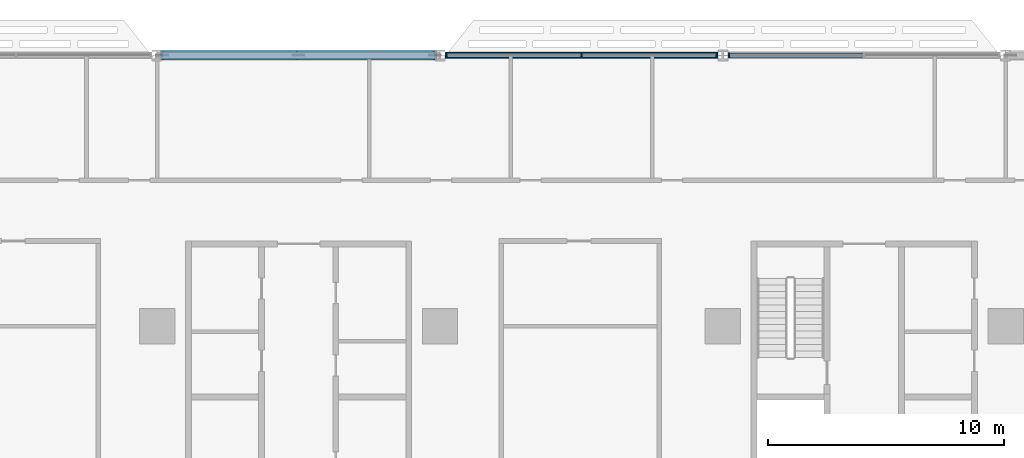
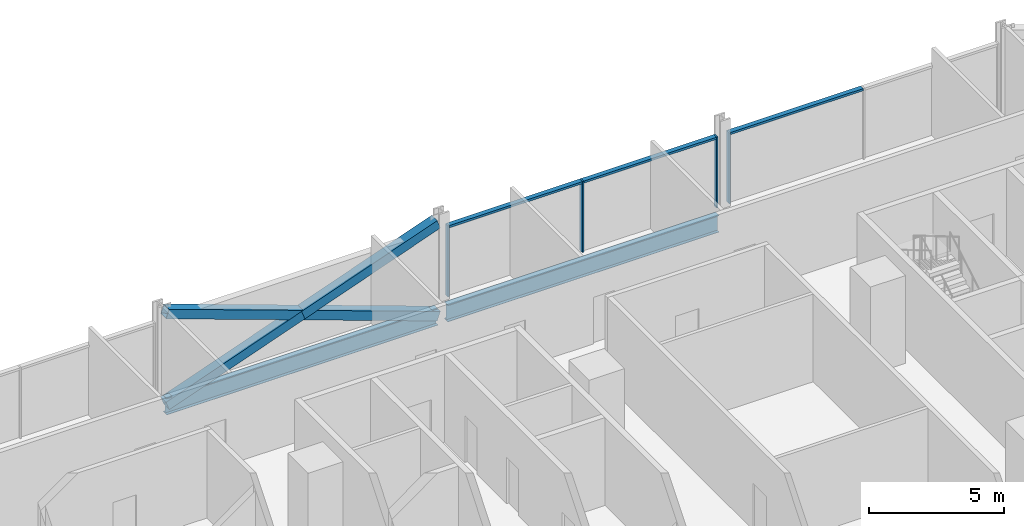
# One storey, part 7 of 29: 10 members, 2 beams, 2 elements without a shape of their own.
"""IFC4 building model written with IfcOpenShell, lengths in metres."""

from ifc_helpers import new_model, si_unit, direction, frame, origin, origin_2d, place, context, subcontext, project, spatial, rectangle, hollow_rectangle, i_section, extrude, material, material_profile, profile_set, type_object, element, aggregate, save


model = new_model("IFC4")

# Units and contexts
model_context = context("Model", 3, precision=1e-05, world=origin(), true_north=direction((0.0, 1.0)))
body_context = subcontext(model_context, "Body", "Model", "MODEL_VIEW")
ifc_project = project(units=[si_unit("LENGTHUNIT", "METRE"), si_unit("AREAUNIT", "SQUARE_METRE"), si_unit("VOLUMEUNIT", "CUBIC_METRE"), si_unit("PLANEANGLEUNIT", "RADIAN"), si_unit("MASSUNIT", "GRAM", prefix="KILO")], contexts=[model_context])

# Site, building, storey
site_placement = place(None, origin())
site = spatial("IfcSite", under=ifc_project, at=site_placement, CompositionType="ELEMENT")
building_placement = place(site_placement, origin())
building = spatial("IfcBuilding", under=site, at=building_placement, Name="Mahtab Terrace Research Tower", CompositionType="ELEMENT")
storey_placement = place(building_placement, frame((0.0, 0.0, 54.60009765625)))
storey = spatial("IfcBuildingStorey", under=building, at=storey_placement, Name="L12", CompositionType="ELEMENT", Elevation=54.60009765625)

# Members
ifc_material_1 = material(Name="Steel ASTM A500 Gr C", Category="steel")
ifc_material_profile_1 = material_profile(ifc_material_1, hollow_rectangle(XDim=0.406494140625, YDim=0.406494140625, WallThickness=0.01904296875, at=origin_2d()), Name="HSS16X16X3/4")
ifc_profile_set_1 = profile_set([ifc_material_profile_1], Name="Steel ASTM A500 Gr C")
member_type_1 = type_object("IfcMemberType", Name="HSS 16x16x3/4 brace XB161634", PredefinedType="BRACE", material=ifc_profile_set_1)
member_1_placement = place(storey_placement, frame((5.787841796875, 23.0, -0.642578125), z_axis=(-0.941386519928, 0.0, 0.337329838731), x_axis=(0.0, -1.0, 0.0)))
element("IfcMember", 1, at=member_1_placement, inside=storey, type_object=member_type_1, Name="Exoskeleton brace L12 05 a", PredefinedType="BRACE", context=body_context, shape_type="SweptSolid", body=[
    extrude(hollow_rectangle(XDim=0.406494140625, YDim=0.406494140625, WallThickness=0.01904296875, at=origin_2d()), origin(), (0.0, 0.0, 1.0), 12.29638671875),
])
for number, where, z_axis, x_axis, name in (
    (2, (-5.787841796875, 23.0, -0.642578125), (0.941386519928, 0.0, 0.337329838731), (0.0, 1.0, 0.0), "Exoskeleton brace L12 05 b1"),
    (3, (0.0, 23.0, 1.431396484375), (0.941386519928, 0.0, 0.337329838731), (0.0, 1.0, 0.0), "Exoskeleton brace L12 05 b2"),
):
    element("IfcMember", number, at=place(storey_placement, frame(where, z_axis=z_axis, x_axis=x_axis)), inside=storey, type_object=member_type_1, Name=name, PredefinedType="BRACE", context=body_context, shape_type="SweptSolid", body=[
        extrude(hollow_rectangle(XDim=0.406494140625, YDim=0.406494140625, WallThickness=0.01904296875, at=origin_2d()), origin(), (0.0, 0.0, 1.0), 6.148193359375),
    ])

# Curtain wall, member
ifc_material_2 = material(Name="Laboratory ribbon curtain wall")
curtain_wall_type = type_object("IfcCurtainWallType", Name="Laboratory ribbon curtain wall", PredefinedType="NOTDEFINED", material=ifc_material_2)
curtain_wall_1_placement = place(storey_placement, origin())
curtain_wall_1 = element("IfcCurtainWall", 4, at=curtain_wall_1_placement, inside=storey, type_object=curtain_wall_type, Name="EN.L12.3.5", PredefinedType="NOTDEFINED")
ifc_material_3 = material(Name="Natural anodised aluminium", Category="aluminium")
ifc_material_profile_2 = material_profile(ifc_material_3, rectangle(XDim=0.199951171875, YDim=0.06494140625, at=origin_2d()), Name="MULLION 65x200")
ifc_profile_set_2 = profile_set([ifc_material_profile_2], Name="Natural anodised aluminium")
member_type_2 = type_object("IfcMemberType", Name="Laboratory ribbon curtain wall mullion", PredefinedType="MULLION", material=ifc_profile_set_2)
member_2_placement = place(storey_placement, frame((18.2705078125, 23.0, 0.0), z_axis=(0.0, 0.0, 1.0), x_axis=(0.0, -1.0, 0.0)))
member_2 = element("IfcMember", 5, at=member_2_placement, type_object=member_type_2, Name="CWL-2 mullion 3", PredefinedType="MULLION", context=body_context, shape_type="SweptSolid", body=[
    extrude(rectangle(XDim=0.199951171875, YDim=0.06494140625, at=origin_2d()), origin(), (0.0, 0.0, 1.0), 3.202880859375),
])

# Curtain wall, members
curtain_wall_2_placement = place(storey_placement, origin())
curtain_wall_2 = element("IfcCurtainWall", 6, at=curtain_wall_2_placement, inside=storey, type_object=curtain_wall_type, Name="EN.L12.3.6", PredefinedType="NOTDEFINED")
member_3_placement = place(storey_placement, frame((17.7294921875, 23.0, 0.0), z_axis=(0.0, 0.0, 1.0), x_axis=(0.0, -1.0, 0.0)))
member_3 = element("IfcMember", 7, at=member_3_placement, type_object=member_type_2, Name="CWL-2 mullion 1", PredefinedType="MULLION", context=body_context, shape_type="SweptSolid", body=[
    extrude(rectangle(XDim=0.199951171875, YDim=0.06494140625, at=origin_2d()), origin(), (0.0, 0.0, 1.0), 3.202880859375),
])
member_4_placement = place(storey_placement, frame((12.0, 23.0, 0.0), z_axis=(0.0, 0.0, 1.0), x_axis=(0.0, -1.0, 0.0)))
member_4 = element("IfcMember", 8, at=member_4_placement, type_object=member_type_2, Name="CWL-2 mullion 2", PredefinedType="MULLION", context=body_context, shape_type="SweptSolid", body=[
    extrude(rectangle(XDim=0.199951171875, YDim=0.06494140625, at=origin_2d()), origin(), (0.0, 0.0, 1.0), 3.202880859375),
])
member_5_placement = place(storey_placement, frame((6.2705078125, 23.0, 0.0), z_axis=(0.0, 0.0, 1.0), x_axis=(0.0, -1.0, 0.0)))
member_5 = element("IfcMember", 9, at=member_5_placement, type_object=member_type_2, Name="CWL-2 mullion 3", PredefinedType="MULLION", context=body_context, shape_type="SweptSolid", body=[
    extrude(rectangle(XDim=0.199951171875, YDim=0.06494140625, at=origin_2d()), origin(), (0.0, 0.0, 1.0), 3.202880859375),
])

# Member
ifc_material_profile_3 = material_profile(ifc_material_3, rectangle(XDim=0.199951171875, YDim=0.10009765625, at=origin_2d()), Name="TRANSOM 100x200")
ifc_profile_set_3 = profile_set([ifc_material_profile_3], Name="Natural anodised aluminium")
member_type_3 = type_object("IfcMemberType", Name="Laboratory ribbon curtain wall transom", PredefinedType="USERDEFINED", material=ifc_profile_set_3)
member_6_placement = place(storey_placement, frame((23.967529296875, 23.0, 3.153076171875), z_axis=(-1.0, 0.0, 0.0), x_axis=(0.0, -1.0, 0.0)))
member_6 = element("IfcMember", 10, at=member_6_placement, type_object=member_type_3, Name="CWL-2 transom 2", ObjectType="TRANSOM", PredefinedType="USERDEFINED", context=body_context, shape_type="SweptSolid", body=[
    extrude(rectangle(XDim=0.199951171875, YDim=0.10009765625, at=origin_2d()), origin(), (0.0, 0.0, 1.0), 5.66455078125),
])

aggregate(curtain_wall_1, [member_2, member_6])

member_7_placement = place(storey_placement, frame((17.697021484375, 23.0, 3.153076171875), z_axis=(-1.0, 0.0, 0.0), x_axis=(0.0, -1.0, 0.0)))
member_7 = element("IfcMember", 11, at=member_7_placement, type_object=member_type_3, Name="CWL-2 transom 1", ObjectType="TRANSOM", PredefinedType="USERDEFINED", context=body_context, shape_type="SweptSolid", body=[
    extrude(rectangle(XDim=0.199951171875, YDim=0.10009765625, at=origin_2d()), origin(), (0.0, 0.0, 1.0), 5.66455078125),
])

member_8_placement = place(storey_placement, frame((11.967529296875, 23.0, 3.153076171875), z_axis=(-1.0, 0.0, 0.0), x_axis=(0.0, -1.0, 0.0)))
member_8 = element("IfcMember", 12, at=member_8_placement, type_object=member_type_3, Name="CWL-2 transom 2", ObjectType="TRANSOM", PredefinedType="USERDEFINED", context=body_context, shape_type="SweptSolid", body=[
    extrude(rectangle(XDim=0.199951171875, YDim=0.10009765625, at=origin_2d()), origin(), (0.0, 0.0, 1.0), 5.66455078125),
])

aggregate(curtain_wall_2, [member_3, member_4, member_5, member_7, member_8])

# Beams
ifc_material_4 = material(Name="Steel ASTM A992 Gr 50", Category="steel")
ifc_material_profile_4 = material_profile(ifc_material_4, i_section(OverallWidth=0.2666015625, OverallDepth=0.7568359375, WebThickness=0.013916015625, FlangeThickness=0.019287109375, at=origin_2d()), Name="W30X108")
ifc_profile_set_4 = profile_set([ifc_material_profile_4], Name="Steel ASTM A992 Gr 50")
beam_type = type_object("IfcBeamType", Name="W30x108 beam BS30108", PredefinedType="BEAM", material=ifc_profile_set_4)
for number, where, z_axis, x_axis, name in (
    (13, (17.787841796875, 23.0, -0.718505859375), (-1.0, 0.0, 0.0), (0.0, -1.0, 0.0), "Spandrel beam L12 04"),
    (14, (5.787841796875, 23.0, -0.718505859375), (-1.0, 0.0, 0.0), (0.0, -1.0, 0.0), "Spandrel beam L12 05"),
):
    element("IfcBeam", number, at=place(storey_placement, frame(where, z_axis=z_axis, x_axis=x_axis)), inside=storey, type_object=beam_type, Name=name, PredefinedType="BEAM", context=body_context, shape_type="SweptSolid", body=[
        extrude(i_section(OverallWidth=0.2666015625, OverallDepth=0.7568359375, WebThickness=0.013916015625, FlangeThickness=0.019287109375, at=origin_2d()), origin(), (0.0, 0.0, 1.0), 11.57568359375),
    ])

save(model, "model.ifc")
